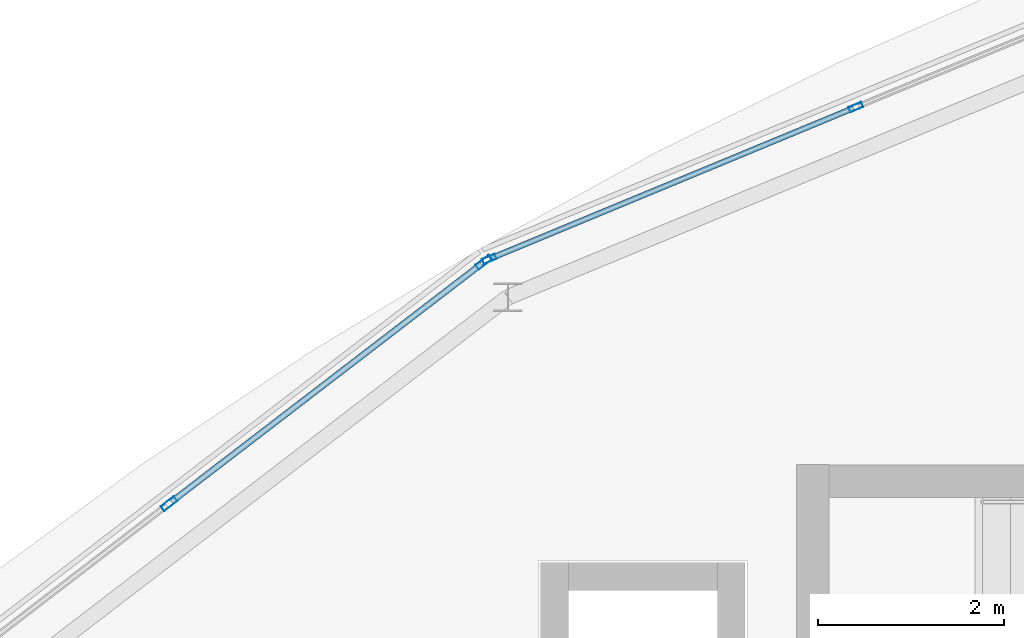
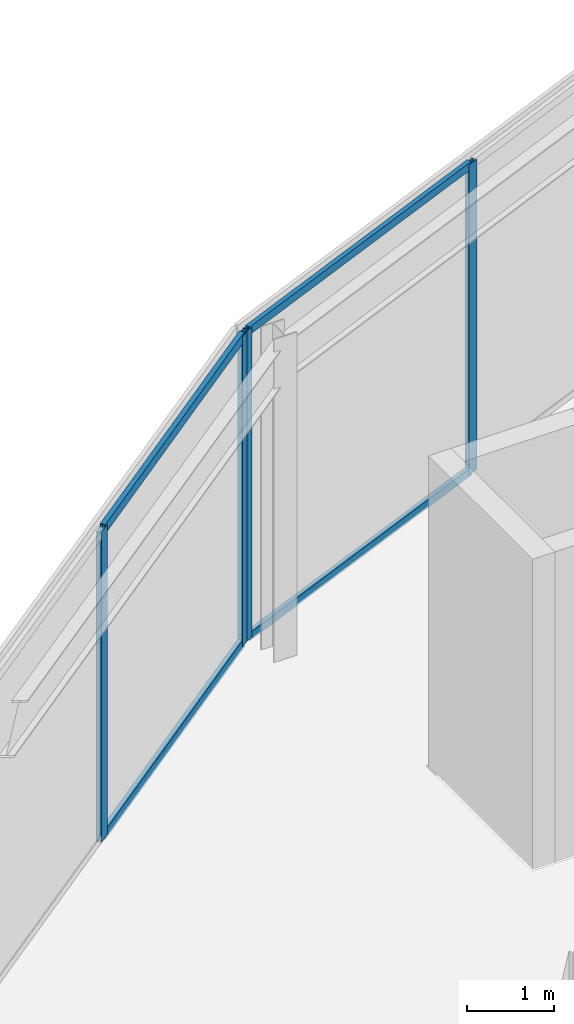
# One storey, part 41 of 116: 8 members, 2 elements without a shape of their own.
"""IFC4 building model written with IfcOpenShell, lengths in metres."""

from ifc_helpers import new_model, si_unit, direction, frame, origin, origin_2d, place, context, subcontext, project, spatial, hollow_rectangle, extrude, material, material_profile, profile_set, type_object, element, aggregate, save


model = new_model("IFC4")

# Units and contexts
model_context = context("Model", 3, precision=1e-05, world=origin(), true_north=direction((0.0, 1.0)))
body_context = subcontext(model_context, "Body", "Model", "MODEL_VIEW")
ifc_project = project(units=[si_unit("LENGTHUNIT", "METRE"), si_unit("AREAUNIT", "SQUARE_METRE"), si_unit("VOLUMEUNIT", "CUBIC_METRE"), si_unit("PLANEANGLEUNIT", "RADIAN"), si_unit("MASSUNIT", "GRAM", prefix="KILO")], contexts=[model_context])

# Site, building, storey
site_placement = place(None, origin())
site = spatial("IfcSite", under=ifc_project, at=site_placement, CompositionType="ELEMENT")
building_placement = place(site_placement, origin())
building = spatial("IfcBuilding", under=site, at=building_placement, Name="Almandine Court Research Institute", CompositionType="ELEMENT")
storey_placement = place(building_placement, frame((0.0, 0.0, 14.35009765625)))
storey = spatial("IfcBuildingStorey", under=building, at=storey_placement, Name="L03", CompositionType="ELEMENT", Elevation=14.35009765625)

# Curtain wall, members
ifc_material_1 = material(Name="Unitised Curtain Wall Framing and Solar Glazing", Category="glass")
curtain_wall_type_1 = type_object("IfcCurtainWallType", Name="CW-CWG-20", PredefinedType="USERDEFINED", material=ifc_material_1)
curtain_wall_1_placement = place(storey_placement, origin())
curtain_wall_1 = element("IfcCurtainWall", 1, at=curtain_wall_1_placement, inside=storey, type_object=curtain_wall_type_1, Name="L03 Stacked-Ring Drum Outer Unitised Glazing 07", ObjectType="UNITISED GLAZING", PredefinedType="USERDEFINED")
ifc_material_2 = material(Name="Anodised Aluminium AW-6063-T6", Category="aluminium")
ifc_material_profile_1 = material_profile(ifc_material_2, hollow_rectangle(XDim=0.06005859375, YDim=0.14990234375, WallThickness=0.00390625, at=origin_2d()), Name="ALU RHS 60x150x4")
ifc_profile_set_1 = profile_set([ifc_material_profile_1], Name="Anodised Aluminium AW-6063-T6")
member_type_1 = type_object("IfcMemberType", Name="CWMul-60x150", PredefinedType="MULLION", material=ifc_profile_set_1)
member_1_placement = place(storey_placement, frame((62.350830078125, 98.760498046875, 0.0), z_axis=(0.0, 0.0, 1.0), x_axis=(-0.382662689242, 0.923888124321, 0.0)))
member_1 = element("IfcMember", 2, at=member_1_placement, type_object=member_type_1, Name="CWG-20 mullion 1", PredefinedType="MULLION", context=body_context, shape_type="SweptSolid", body=[
    extrude(hollow_rectangle(XDim=0.06005859375, YDim=0.14990234375, WallThickness=0.00390625, at=origin_2d()), origin(), (0.0, 0.0, 1.0), 4.369873046875),
])
member_2_placement = place(storey_placement, frame((66.2890625, 100.3916015625, 0.0), z_axis=(0.0, 0.0, 1.0), x_axis=(-0.382662689242, 0.923888124321, 0.0)))
member_2 = element("IfcMember", 3, at=member_2_placement, type_object=member_type_1, Name="CWG-20 mullion 2", PredefinedType="MULLION", context=body_context, shape_type="SweptSolid", body=[
    extrude(hollow_rectangle(XDim=0.06005859375, YDim=0.14990234375, WallThickness=0.00390625, at=origin_2d()), origin(), (0.0, 0.0, 1.0), 4.369873046875),
])

curtain_wall_type_2 = type_object("IfcCurtainWallType", Name="CW-CWJ-19", PredefinedType="USERDEFINED", material=ifc_material_1)
curtain_wall_2_placement = place(storey_placement, origin())
curtain_wall_2 = element("IfcCurtainWall", 4, at=curtain_wall_2_placement, inside=storey, type_object=curtain_wall_type_2, Name="L03 Stacked-Ring Drum Outer Solar Jali Screen 08", ObjectType="SOLAR JALI SCREEN", PredefinedType="USERDEFINED")
ifc_material_profile_2 = material_profile(ifc_material_2, hollow_rectangle(XDim=0.06494140625, YDim=0.179931640625, WallThickness=0.00390625, at=origin_2d()), Name="ALU RHS 65x180x4")
ifc_profile_set_2 = profile_set([ifc_material_profile_2], Name="Anodised Aluminium AW-6063-T6")
member_type_2 = type_object("IfcMemberType", Name="CWMul-65x180", PredefinedType="MULLION", material=ifc_profile_set_2)
member_3_placement = place(storey_placement, frame((58.911376953125, 96.132080078125, 0.0), z_axis=(0.0, 0.0, 1.0), x_axis=(-0.608723313303, 0.793382586046, 0.0)))
member_3 = element("IfcMember", 5, at=member_3_placement, type_object=member_type_2, Name="CWJ-19 mullion 3", PredefinedType="MULLION", context=body_context, shape_type="SweptSolid", body=[
    extrude(hollow_rectangle(XDim=0.06494140625, YDim=0.179931640625, WallThickness=0.00390625, at=origin_2d()), origin(), (0.0, 0.0, 1.0), 4.369873046875),
])
member_4_placement = place(storey_placement, frame((62.291259765625, 98.72509765625, 0.0), z_axis=(0.0, 0.0, 1.0), x_axis=(-0.608723313303, 0.793382586046, 0.0)))
member_4 = element("IfcMember", 6, at=member_4_placement, type_object=member_type_2, Name="CWJ-19 mullion 4", PredefinedType="MULLION", context=body_context, shape_type="SweptSolid", body=[
    extrude(hollow_rectangle(XDim=0.06494140625, YDim=0.179931640625, WallThickness=0.00390625, at=origin_2d()), origin(), (0.0, 0.0, 1.0), 4.369873046875),
])

# Member
ifc_material_profile_3 = material_profile(ifc_material_2, hollow_rectangle(XDim=0.06005859375, YDim=0.110107421875, WallThickness=0.00390625, at=origin_2d()), Name="ALU RHS 60x110x4")
ifc_profile_set_3 = profile_set([ifc_material_profile_3], Name="Anodised Aluminium AW-6063-T6")
member_type_3 = type_object("IfcMemberType", Name="CWTrn-60x110", PredefinedType="NOTDEFINED", material=ifc_profile_set_3)
member_5_placement = place(storey_placement, frame((62.37841796875, 98.77197265625, 0.02978515625), z_axis=(0.923892933282, 0.382651078441, 0.0), x_axis=(-0.382651078441, 0.923892933282, 0.0)))
member_5 = element("IfcMember", 7, at=member_5_placement, type_object=member_type_3, Name="CWG-20 transom 1.1", ObjectType="TRANSOM", PredefinedType="USERDEFINED", context=body_context, shape_type="SweptSolid", body=[
    extrude(hollow_rectangle(XDim=0.06005859375, YDim=0.110107421875, WallThickness=0.00390625, at=origin_2d()), origin(), (0.0, 0.0, 1.0), 4.20263671875),
])

member_6_placement = place(storey_placement, frame((62.37841796875, 98.77197265625, 4.33984375), z_axis=(0.923892933282, 0.382651078441, 0.0), x_axis=(-0.382651078441, 0.923892933282, 0.0)))
member_6 = element("IfcMember", 8, at=member_6_placement, type_object=member_type_3, Name="CWG-20 transom 1.2", ObjectType="TRANSOM", PredefinedType="USERDEFINED", context=body_context, shape_type="SweptSolid", body=[
    extrude(hollow_rectangle(XDim=0.06005859375, YDim=0.110107421875, WallThickness=0.00390625, at=origin_2d()), origin(), (0.0, 0.0, 1.0), 4.20263671875),
])

aggregate(curtain_wall_1, [member_1, member_2, member_5, member_6])

ifc_material_profile_4 = material_profile(ifc_material_2, hollow_rectangle(XDim=0.06494140625, YDim=0.1298828125, WallThickness=0.00390625, at=origin_2d()), Name="ALU RHS 65x130x4")
ifc_profile_set_4 = profile_set([ifc_material_profile_4], Name="Anodised Aluminium AW-6063-T6")
member_type_4 = type_object("IfcMemberType", Name="CWTrn-65x130", PredefinedType="NOTDEFINED", material=ifc_profile_set_4)
member_7_placement = place(storey_placement, frame((58.93701171875, 96.15185546875, 0.032470703125), z_axis=(0.793408675449, 0.608689308041, 0.0), x_axis=(-0.608689308041, 0.793408675449, 0.0)))
member_7 = element("IfcMember", 9, at=member_7_placement, type_object=member_type_4, Name="CWJ-19 transom 3.1", ObjectType="TRANSOM", PredefinedType="USERDEFINED", context=body_context, shape_type="SweptSolid", body=[
    extrude(hollow_rectangle(XDim=0.06494140625, YDim=0.1298828125, WallThickness=0.00390625, at=origin_2d()), origin(), (0.0, 0.0, 1.0), 4.195068359375),
])

member_8_placement = place(storey_placement, frame((58.93701171875, 96.15185546875, 4.33740234375), z_axis=(0.793408675449, 0.608689308041, 0.0), x_axis=(-0.608689308041, 0.793408675449, 0.0)))
member_8 = element("IfcMember", 10, at=member_8_placement, type_object=member_type_4, Name="CWJ-19 transom 3.2", ObjectType="TRANSOM", PredefinedType="USERDEFINED", context=body_context, shape_type="SweptSolid", body=[
    extrude(hollow_rectangle(XDim=0.06494140625, YDim=0.1298828125, WallThickness=0.00390625, at=origin_2d()), origin(), (0.0, 0.0, 1.0), 4.195068359375),
])

aggregate(curtain_wall_2, [member_3, member_4, member_7, member_8])

save(model, "model.ifc")
